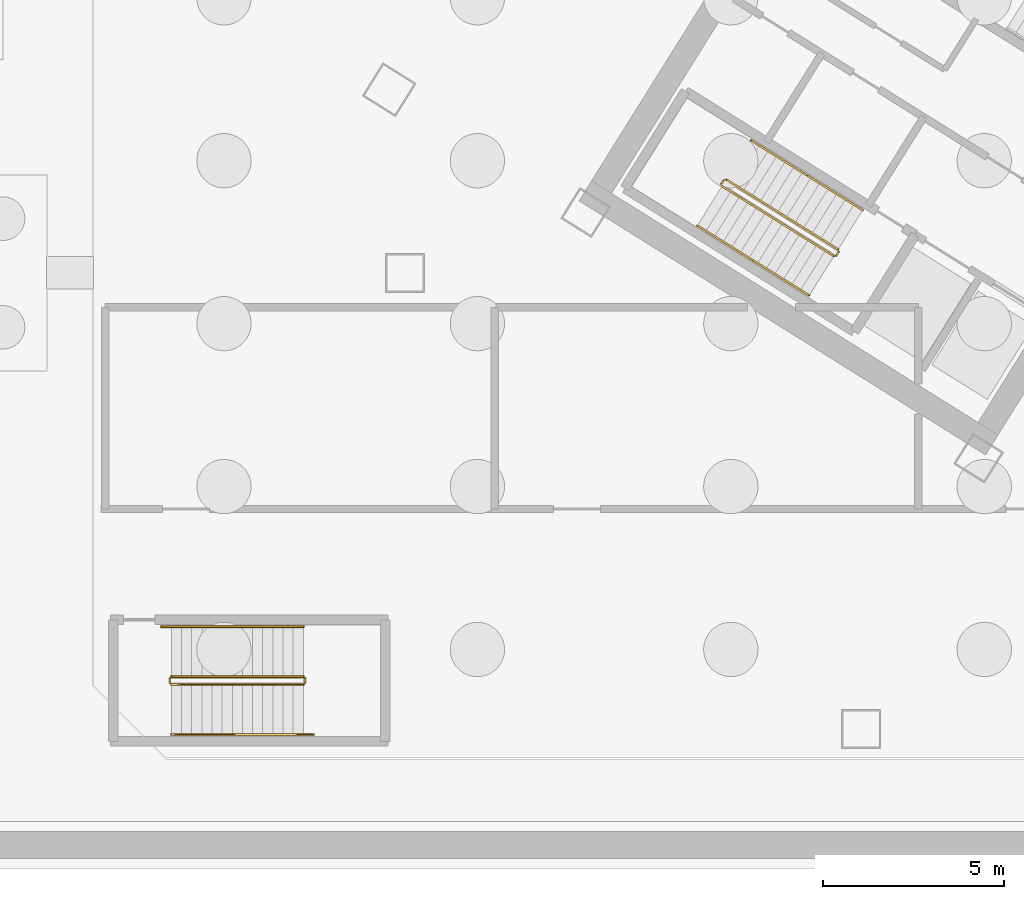
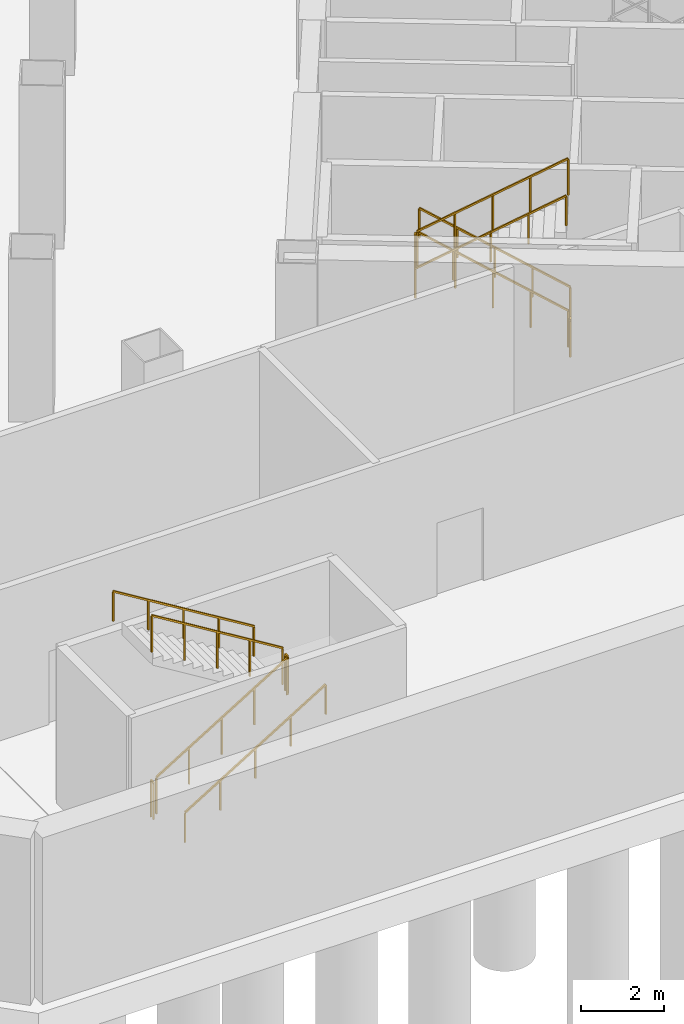
# One storey, part 8 of 11: 14 railings.
"""IFC4 building model written with IfcOpenShell, lengths in metres."""

from ifc_helpers import new_model, si_unit, direction, frame, origin, origin_2d, place, context, subcontext, project, spatial, rectangle, extrude, source, transform, mapped, material, type_object, element, save


model = new_model("IFC4")

# Units and contexts
model_context = context("Model", 3, precision=1e-05, world=origin(), true_north=direction((0.0, 1.0)))
body_context = subcontext(model_context, "Body", "Model", "MODEL_VIEW")
ifc_project = project(units=[si_unit("LENGTHUNIT", "METRE"), si_unit("AREAUNIT", "SQUARE_METRE"), si_unit("VOLUMEUNIT", "CUBIC_METRE"), si_unit("PLANEANGLEUNIT", "RADIAN"), si_unit("MASSUNIT", "GRAM", prefix="KILO")], contexts=[model_context])

# Site, building, storey
site_placement = place(None, origin())
site = spatial("IfcSite", under=ifc_project, at=site_placement, CompositionType="ELEMENT")
building_placement = place(site_placement, origin())
building = spatial("IfcBuilding", under=site, at=building_placement, Name="Tlacorven Tower", CompositionType="ELEMENT")
storey_placement = place(building_placement, frame((0.0, 0.0, -9.60009765625)))
storey = spatial("IfcBuildingStorey", under=building, at=storey_placement, Name="B2", CompositionType="ELEMENT", Elevation=-9.60009765625)

# Railings
ifc_material = material(Name="Aluminium and painted steel balustrade", Category="steel")
railing_type_1 = type_object("IfcRailingType", Name="RL-GRD-1100", PredefinedType="GUARDRAIL", material=ifc_material)
shared_shape_1 = source(origin(), body_context, "Body", "SweptSolid", [
    extrude(rectangle(XDim=0.048095703125, YDim=0.048095703125, at=origin_2d()), frame((0.0, 0.0, 1.076171875), z_axis=(-0.723262235119, 0.451953093932, 0.522139962209), x_axis=(-0.529926592015, -0.848043517206, 0.0)), (0.0, 0.0, 1.0), 4.26806640625),
    extrude(rectangle(XDim=0.0419921875, YDim=0.0419921875, at=origin_2d()), origin(), (0.0, 0.0, 1.0), 1.052001953125),
    extrude(rectangle(XDim=0.0419921875, YDim=0.0419921875, at=origin_2d()), frame((-0.771728515625, 0.482177734375, 0.55712890625)), (0.0, 0.0, 1.0), 1.052001953125),
    extrude(rectangle(XDim=0.0419921875, YDim=0.0419921875, at=origin_2d()), frame((-1.54345703125, 0.96435546875, 1.1142578125)), (0.0, 0.0, 1.0), 1.052001953125),
    extrude(rectangle(XDim=0.0419921875, YDim=0.0419921875, at=origin_2d()), frame((-2.315185546875, 1.44677734375, 1.67138671875)), (0.0, 0.0, 1.0), 1.052001953125),
    extrude(rectangle(XDim=0.0419921875, YDim=0.0419921875, at=origin_2d()), frame((-3.0869140625, 1.928955078125, 2.228515625)), (0.0, 0.0, 1.0), 1.052001953125),
])
railing_1_placement = place(storey_placement, frame((29.16064453125, 17.851806640625, 0.171630859375)))
element("IfcRailing", 1, at=railing_1_placement, inside=storey, type_object=railing_type_1, Name="B2 ST-W1 stair guard 1", PredefinedType="GUARDRAIL", context=body_context, shape_type="MappedRepresentation", body=[
    mapped(shared_shape_1, transform((0.0, 0.0, 0.0), scale=1.0)),
])
shared_shape_2 = source(origin(), body_context, "Body", "SweptSolid", [
    extrude(rectangle(XDim=0.048095703125, YDim=0.048095703125, at=origin_2d()), frame((0.0, 0.0, 1.076171875), z_axis=(-0.529084052582, -0.848569422795, 0.0), x_axis=(0.848569422795, -0.529084052582, 0.0)), (0.0, 0.0, 1.0), 0.119873046875),
    extrude(rectangle(XDim=0.0419921875, YDim=0.0419921875, at=origin_2d()), origin(), (0.0, 0.0, 1.0), 1.052001953125),
    extrude(rectangle(XDim=0.0419921875, YDim=0.0419921875, at=origin_2d()), frame((-0.0634765625, -0.101806640625, 0.0)), (0.0, 0.0, 1.0), 1.052001953125),
])
for number, where, name in (
    (2, (26.0048828125, 19.764892578125, 2.400146484375), "B2 ST-W1 stair guard 2"),
    (3, (29.176513671875, 17.782958984375, 0.0), "B2 ST-W1 stair guard 4"),
):
    element("IfcRailing", number, at=place(storey_placement, frame(where)), inside=storey, type_object=railing_type_1, Name=name, PredefinedType="GUARDRAIL", context=body_context, shape_type="MappedRepresentation", body=[
        mapped(shared_shape_2, transform((0.0, 0.0, 0.0), scale=1.0)),
    ])
shared_shape_3 = source(origin(), body_context, "Body", "SweptSolid", [
    extrude(rectangle(XDim=0.048095703125, YDim=0.048095703125, at=origin_2d()), frame((0.0, 0.0, 1.076171875), z_axis=(0.723262235119, -0.451953093932, 0.522139962209), x_axis=(0.529926592015, 0.848043517206, 0.0)), (0.0, 0.0, 1.0), 4.26806640625),
    extrude(rectangle(XDim=0.0419921875, YDim=0.0419921875, at=origin_2d()), origin(), (0.0, 0.0, 1.0), 1.052001953125),
    extrude(rectangle(XDim=0.0419921875, YDim=0.0419921875, at=origin_2d()), frame((0.771728515625, -0.482177734375, 0.55712890625)), (0.0, 0.0, 1.0), 1.052001953125),
    extrude(rectangle(XDim=0.0419921875, YDim=0.0419921875, at=origin_2d()), frame((1.54345703125, -0.96435546875, 1.1142578125)), (0.0, 0.0, 1.0), 1.052001953125),
    extrude(rectangle(XDim=0.0419921875, YDim=0.0419921875, at=origin_2d()), frame((2.315185546875, -1.44677734375, 1.67138671875)), (0.0, 0.0, 1.0), 1.052001953125),
    extrude(rectangle(XDim=0.0419921875, YDim=0.0419921875, at=origin_2d()), frame((3.0869140625, -1.928955078125, 2.228515625)), (0.0, 0.0, 1.0), 1.052001953125),
])
railing_2_placement = place(storey_placement, frame((25.957275390625, 19.59423828125, 2.571533203125)))
element("IfcRailing", 4, at=railing_2_placement, inside=storey, type_object=railing_type_1, Name="B2 ST-W1 stair guard 3", PredefinedType="GUARDRAIL", context=body_context, shape_type="MappedRepresentation", body=[
    mapped(shared_shape_3, transform((0.0, 0.0, 0.0), scale=1.0)),
])
railing_type_2 = type_object("IfcRailingType", Name="RL-HND-0900", PredefinedType="HANDRAIL", material=ifc_material)
shared_shape_4 = source(origin(), body_context, "Body", "SweptSolid", [
    extrude(rectangle(XDim=0.048095703125, YDim=0.048095703125, at=origin_2d()), frame((0.0, 0.0, 0.8759765625), z_axis=(-0.723243536433, 0.451998610004, 0.522126463189), x_axis=(-0.529974825293, -0.848013375222, 0.0)), (0.0, 0.0, 1.0), 2.134033203125),
    extrude(rectangle(XDim=0.0419921875, YDim=0.0419921875, at=origin_2d()), origin(), (0.0, 0.0, 1.0), 0.851806640625),
    extrude(rectangle(XDim=0.0419921875, YDim=0.0419921875, at=origin_2d()), frame((-0.771728515625, 0.482421875, 0.55712890625)), (0.0, 0.0, 1.0), 0.851806640625),
    extrude(rectangle(XDim=0.0419921875, YDim=0.0419921875, at=origin_2d()), frame((-1.54345703125, 0.964599609375, 1.1142578125)), (0.0, 0.0, 1.0), 0.851806640625),
])
railing_3_placement = place(storey_placement, frame((29.839111328125, 18.937255859375, 0.171630859375)))
element("IfcRailing", 5, at=railing_3_placement, inside=storey, type_object=railing_type_2, Name="B2 ST-W1 stair handrail 1", PredefinedType="HANDRAIL", context=body_context, shape_type="MappedRepresentation", body=[
    mapped(shared_shape_4, transform((0.0, 0.0, 0.0), scale=1.0)),
])
shared_shape_5 = source(origin(), body_context, "Body", "SweptSolid", [
    extrude(rectangle(XDim=0.048095703125, YDim=0.048095703125, at=origin_2d()), frame((0.0, 0.0, 0.8759765625), z_axis=(-0.723280932889, 0.45190757433, 0.522153460567), x_axis=(-0.529878353595, -0.848073658589, 0.0)), (0.0, 0.0, 1.0), 2.134033203125),
    extrude(rectangle(XDim=0.0419921875, YDim=0.0419921875, at=origin_2d()), origin(), (0.0, 0.0, 1.0), 0.851806640625),
    extrude(rectangle(XDim=0.0419921875, YDim=0.0419921875, at=origin_2d()), frame((-0.771728515625, 0.482177734375, 0.55712890625)), (0.0, 0.0, 1.0), 0.851806640625),
    extrude(rectangle(XDim=0.0419921875, YDim=0.0419921875, at=origin_2d()), frame((-1.54345703125, 0.96435546875, 1.1142578125)), (0.0, 0.0, 1.0), 0.851806640625),
])
railing_4_placement = place(storey_placement, frame((28.295654296875, 19.90185546875, 1.285888671875)))
element("IfcRailing", 6, at=railing_4_placement, inside=storey, type_object=railing_type_2, Name="B2 ST-W1 stair handrail 2", PredefinedType="HANDRAIL", context=body_context, shape_type="MappedRepresentation", body=[
    mapped(shared_shape_5, transform((0.0, 0.0, 0.0), scale=1.0)),
])
shared_shape_6 = source(origin(), body_context, "Body", "SweptSolid", [
    extrude(rectangle(XDim=0.048095703125, YDim=0.048095703125, at=origin_2d()), frame((0.0, 0.0, 0.8759765625), z_axis=(0.723243536433, -0.451998610004, 0.522126463189), x_axis=(0.529974825293, 0.848013375222, 0.0)), (0.0, 0.0, 1.0), 2.134033203125),
    extrude(rectangle(XDim=0.0419921875, YDim=0.0419921875, at=origin_2d()), origin(), (0.0, 0.0, 1.0), 0.851806640625),
    extrude(rectangle(XDim=0.0419921875, YDim=0.0419921875, at=origin_2d()), frame((0.771728515625, -0.482421875, 0.55712890625)), (0.0, 0.0, 1.0), 0.851806640625),
    extrude(rectangle(XDim=0.0419921875, YDim=0.0419921875, at=origin_2d()), frame((1.54345703125, -0.964599609375, 1.1142578125)), (0.0, 0.0, 1.0), 0.851806640625),
])
railing_5_placement = place(storey_placement, frame((25.27880859375, 18.5087890625, 2.571533203125)))
element("IfcRailing", 7, at=railing_5_placement, inside=storey, type_object=railing_type_2, Name="B2 ST-W1 stair handrail 3", PredefinedType="HANDRAIL", context=body_context, shape_type="MappedRepresentation", body=[
    mapped(shared_shape_6, transform((0.0, 0.0, 0.0), scale=1.0)),
])
shared_shape_7 = source(origin(), body_context, "Body", "SweptSolid", [
    extrude(rectangle(XDim=0.048095703125, YDim=0.048095703125, at=origin_2d()), frame((0.0, 0.0, 0.8759765625), z_axis=(0.723280932889, -0.45190757433, 0.522153460567), x_axis=(0.529878353595, 0.848073658589, 0.0)), (0.0, 0.0, 1.0), 2.134033203125),
    extrude(rectangle(XDim=0.0419921875, YDim=0.0419921875, at=origin_2d()), origin(), (0.0, 0.0, 1.0), 0.851806640625),
    extrude(rectangle(XDim=0.0419921875, YDim=0.0419921875, at=origin_2d()), frame((0.771728515625, -0.482177734375, 0.55712890625)), (0.0, 0.0, 1.0), 0.851806640625),
    extrude(rectangle(XDim=0.0419921875, YDim=0.0419921875, at=origin_2d()), frame((1.54345703125, -0.96435546875, 1.1142578125)), (0.0, 0.0, 1.0), 0.851806640625),
])
railing_6_placement = place(storey_placement, frame((26.822265625, 17.544189453125, 3.685791015625)))
element("IfcRailing", 8, at=railing_6_placement, inside=storey, type_object=railing_type_2, Name="B2 ST-W1 stair handrail 4", PredefinedType="HANDRAIL", context=body_context, shape_type="MappedRepresentation", body=[
    mapped(shared_shape_7, transform((0.0, 0.0, 0.0), scale=1.0)),
])
shared_shape_8 = source(origin(), body_context, "Body", "SweptSolid", [
    extrude(rectangle(XDim=0.048095703125, YDim=0.048095703125, at=origin_2d()), frame((0.0, 0.0, 1.076171875), z_axis=(0.852850264322, 0.0, 0.5221555579), x_axis=(0.0, 1.0, 0.0)), (0.0, 0.0, 1.0), 4.267822265625),
    extrude(rectangle(XDim=0.0419921875, YDim=0.0419921875, at=origin_2d()), origin(), (0.0, 0.0, 1.0), 1.052001953125),
    extrude(rectangle(XDim=0.0419921875, YDim=0.0419921875, at=origin_2d()), frame((0.909912109375, 0.0, 0.55712890625)), (0.0, 0.0, 1.0), 1.052001953125),
    extrude(rectangle(XDim=0.0419921875, YDim=0.0419921875, at=origin_2d()), frame((1.81982421875, 0.0, 1.1142578125)), (0.0, 0.0, 1.0), 1.052001953125),
    extrude(rectangle(XDim=0.0419921875, YDim=0.0419921875, at=origin_2d()), frame((2.72998046875, 0.0, 1.67138671875)), (0.0, 0.0, 1.0), 1.052001953125),
    extrude(rectangle(XDim=0.0419921875, YDim=0.0419921875, at=origin_2d()), frame((3.639892578125, 0.0, 2.228515625)), (0.0, 0.0, 1.0), 1.052001953125),
])
railing_7_placement = place(storey_placement, frame((10.75, 5.830078125, 0.171630859375)))
element("IfcRailing", 9, at=railing_7_placement, inside=storey, type_object=railing_type_1, Name="B2 ST-P1 stair guard 1", PredefinedType="GUARDRAIL", context=body_context, shape_type="MappedRepresentation", body=[
    mapped(shared_shape_8, transform((0.0, 0.0, 0.0), scale=1.0)),
])
shared_shape_9 = source(origin(), body_context, "Body", "SweptSolid", [
    extrude(rectangle(XDim=0.048095703125, YDim=0.048095703125, at=origin_2d()), frame((0.0, 0.0, 1.076171875), z_axis=(0.0, 1.0, 0.0), x_axis=(-1.0, 0.0, 0.0)), (0.0, 0.0, 1.0), 0.1201171875),
    extrude(rectangle(XDim=0.0419921875, YDim=0.0419921875, at=origin_2d()), origin(), (0.0, 0.0, 1.0), 1.052001953125),
    extrude(rectangle(XDim=0.0419921875, YDim=0.0419921875, at=origin_2d()), frame((0.0, 0.1201171875, 0.0)), (0.0, 0.0, 1.0), 1.052001953125),
])
for number, where, name in (
    (10, (14.43994140625, 5.8798828125, 2.400146484375), "B2 ST-P1 stair guard 2"),
    (11, (10.699951171875, 5.8798828125, 0.0), "B2 ST-P1 stair guard 4"),
):
    element("IfcRailing", number, at=place(storey_placement, frame(where)), inside=storey, type_object=railing_type_1, Name=name, PredefinedType="GUARDRAIL", context=body_context, shape_type="MappedRepresentation", body=[
        mapped(shared_shape_9, transform((0.0, 0.0, 0.0), scale=1.0)),
    ])
shared_shape_10 = source(origin(), body_context, "Body", "SweptSolid", [
    extrude(rectangle(XDim=0.048095703125, YDim=0.048095703125, at=origin_2d()), frame((0.0, 0.0, 1.076171875), z_axis=(-0.852850264322, 0.0, 0.5221555579), x_axis=(0.0, -1.0, 0.0)), (0.0, 0.0, 1.0), 4.267822265625),
    extrude(rectangle(XDim=0.0419921875, YDim=0.0419921875, at=origin_2d()), origin(), (0.0, 0.0, 1.0), 1.052001953125),
    extrude(rectangle(XDim=0.0419921875, YDim=0.0419921875, at=origin_2d()), frame((-0.909912109375, 0.0, 0.55712890625)), (0.0, 0.0, 1.0), 1.052001953125),
    extrude(rectangle(XDim=0.0419921875, YDim=0.0419921875, at=origin_2d()), frame((-1.81982421875, 0.0, 1.1142578125)), (0.0, 0.0, 1.0), 1.052001953125),
    extrude(rectangle(XDim=0.0419921875, YDim=0.0419921875, at=origin_2d()), frame((-2.72998046875, 0.0, 1.67138671875)), (0.0, 0.0, 1.0), 1.052001953125),
    extrude(rectangle(XDim=0.0419921875, YDim=0.0419921875, at=origin_2d()), frame((-3.639892578125, 0.0, 2.228515625)), (0.0, 0.0, 1.0), 1.052001953125),
])
railing_8_placement = place(storey_placement, frame((14.389892578125, 6.050048828125, 2.571533203125)))
element("IfcRailing", 12, at=railing_8_placement, inside=storey, type_object=railing_type_1, Name="B2 ST-P1 stair guard 3", PredefinedType="GUARDRAIL", context=body_context, shape_type="MappedRepresentation", body=[
    mapped(shared_shape_10, transform((0.0, 0.0, 0.0), scale=1.0)),
])
shared_shape_11 = source(origin(), body_context, "Body", "SweptSolid", [
    extrude(rectangle(XDim=0.048095703125, YDim=0.048095703125, at=origin_2d()), frame((0.0, 0.0, 0.8759765625), z_axis=(0.852856131449, 0.0, 0.522145974847), x_axis=(0.0, 1.0, 0.0)), (0.0, 0.0, 1.0), 4.59619140625),
    extrude(rectangle(XDim=0.0419921875, YDim=0.0419921875, at=origin_2d()), origin(), (0.0, 0.0, 1.0), 0.851806640625),
    extrude(rectangle(XDim=0.0419921875, YDim=0.0419921875, at=origin_2d()), frame((0.97998046875, 0.0, 0.60009765625)), (0.0, 0.0, 1.0), 0.851806640625),
    extrude(rectangle(XDim=0.0419921875, YDim=0.0419921875, at=origin_2d()), frame((1.9599609375, 0.0, 1.199951171875)), (0.0, 0.0, 1.0), 0.851806640625),
    extrude(rectangle(XDim=0.0419921875, YDim=0.0419921875, at=origin_2d()), frame((2.93994140625, 0.0, 1.7998046875)), (0.0, 0.0, 1.0), 0.851806640625),
    extrude(rectangle(XDim=0.0419921875, YDim=0.0419921875, at=origin_2d()), frame((3.919921875, 0.0, 2.39990234375)), (0.0, 0.0, 1.0), 0.851806640625),
])
railing_9_placement = place(storey_placement, frame((10.75, 4.449951171875, 0.171630859375)))
element("IfcRailing", 13, at=railing_9_placement, inside=storey, type_object=railing_type_2, Name="B2 ST-P1 stair handrail 1", PredefinedType="HANDRAIL", context=body_context, shape_type="MappedRepresentation", body=[
    mapped(shared_shape_11, transform((0.0, 0.0, 0.0), scale=1.0)),
])
shared_shape_12 = source(origin(), body_context, "Body", "SweptSolid", [
    extrude(rectangle(XDim=0.048095703125, YDim=0.048095703125, at=origin_2d()), frame((0.0, 0.0, 0.8759765625), z_axis=(-0.852856131449, 0.0, 0.522145974847), x_axis=(0.0, -1.0, 0.0)), (0.0, 0.0, 1.0), 4.59619140625),
    extrude(rectangle(XDim=0.0419921875, YDim=0.0419921875, at=origin_2d()), origin(), (0.0, 0.0, 1.0), 0.851806640625),
    extrude(rectangle(XDim=0.0419921875, YDim=0.0419921875, at=origin_2d()), frame((-0.97998046875, 0.0, 0.60009765625)), (0.0, 0.0, 1.0), 0.851806640625),
    extrude(rectangle(XDim=0.0419921875, YDim=0.0419921875, at=origin_2d()), frame((-1.9599609375, 0.0, 1.199951171875)), (0.0, 0.0, 1.0), 0.851806640625),
    extrude(rectangle(XDim=0.0419921875, YDim=0.0419921875, at=origin_2d()), frame((-2.93994140625, 0.0, 1.7998046875)), (0.0, 0.0, 1.0), 0.851806640625),
    extrude(rectangle(XDim=0.0419921875, YDim=0.0419921875, at=origin_2d()), frame((-3.919921875, 0.0, 2.39990234375)), (0.0, 0.0, 1.0), 0.851806640625),
])
railing_10_placement = place(storey_placement, frame((14.389892578125, 7.429931640625, 2.571533203125)))
element("IfcRailing", 14, at=railing_10_placement, inside=storey, type_object=railing_type_2, Name="B2 ST-P1 stair handrail 2", PredefinedType="HANDRAIL", context=body_context, shape_type="MappedRepresentation", body=[
    mapped(shared_shape_12, transform((0.0, 0.0, 0.0), scale=1.0)),
])

save(model, "model.ifc")
